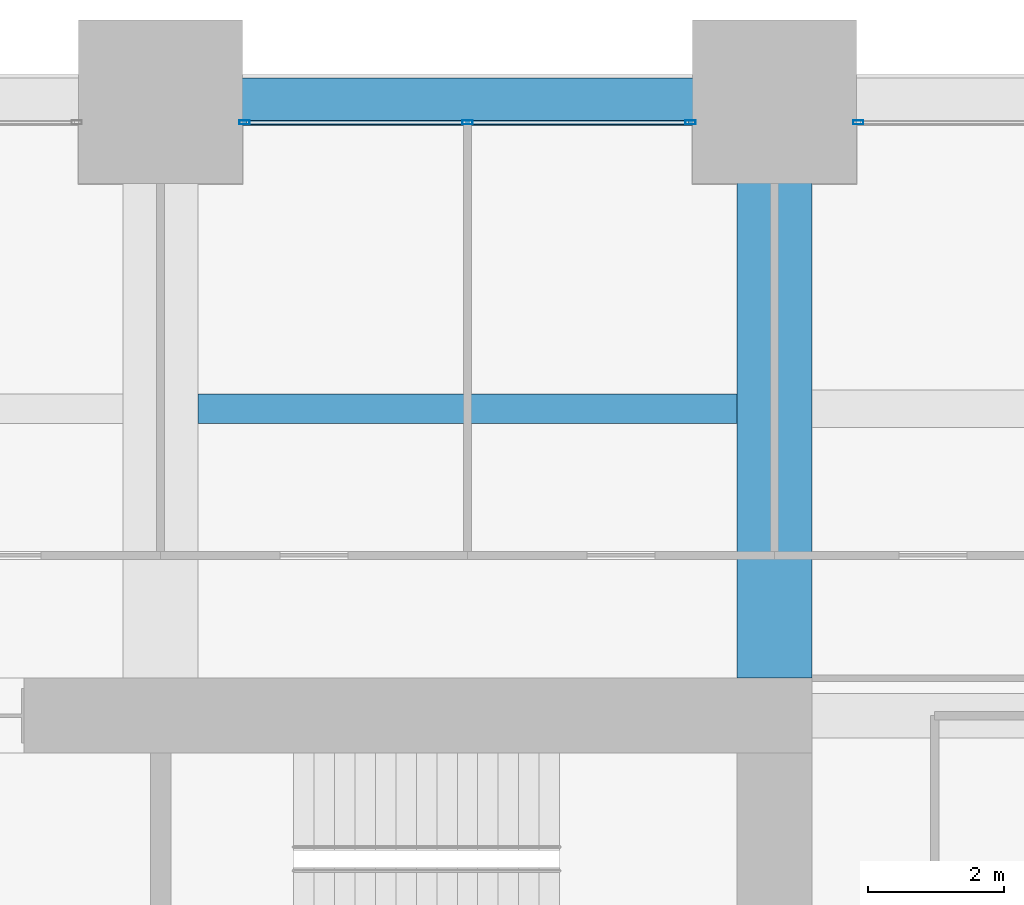
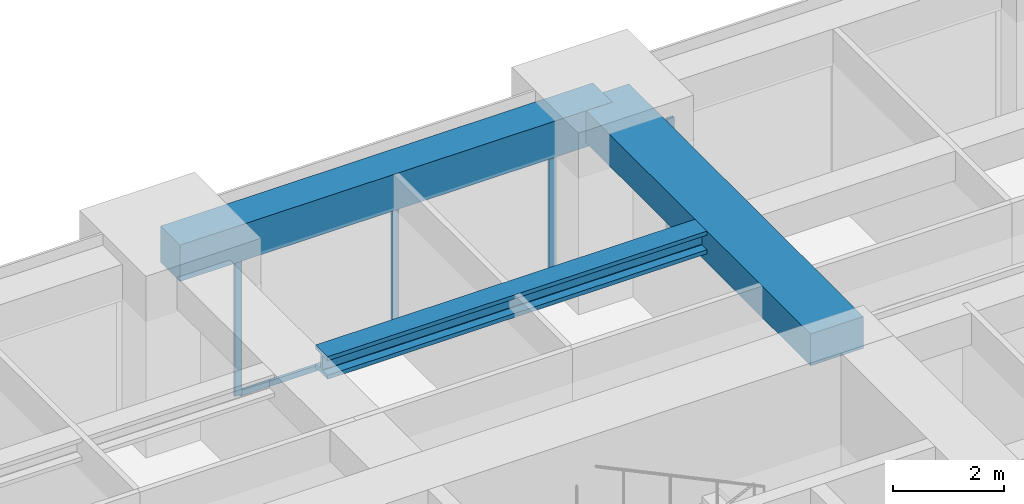
# One storey, part 30 of 40: 5 members, 3 beams, 2 elements without a shape of their own.
"""IFC4 building model written with IfcOpenShell, lengths in metres."""

import ifcopenshell
import ifcopenshell.guid

model = None  # the IFC model being written
_history = None  # IfcOwnerHistory: only IFC2X3 demands one
_inside = {}  # id of a spatial element -> (the spatial element, [elements in it])
_under = {}  # id of a project, library or spatial element -> (it, [spatial elements below it])
_declared = {}  # id of a project -> (the project, [libraries it declares])
_typed = {}  # id of a type object -> (the type object, [elements of that type])
_made_of = {}  # id of a material, layer set ... -> (it, [elements and type objects made of it])


def new_model(schema):
    """Start an empty IFC model of exactly this schema.

    Asked for "IFC4X3", IfcOpenShell would pick the latest addendum, in which some entities
    have other attributes; the version numbers below select the first issue.
    IFC2X3 requires an IfcOwnerHistory on every rooted entity: one is made here for all.
    """
    global model, _history
    if schema == "IFC4X3":
        model = ifcopenshell.file(schema_version=(4, 3, 0, 0))
    else:
        model = ifcopenshell.file(schema=schema)
    _inside.clear()
    _under.clear()
    _declared.clear()
    _typed.clear()
    _made_of.clear()
    _history = None
    if model.schema == "IFC2X3":
        org = make("IfcOrganization", Name="unknown")
        user = make(
            "IfcPersonAndOrganization",
            ThePerson=make("IfcPerson", FamilyName="unknown"),
            TheOrganization=org,
        )
        app = make(
            "IfcApplication",
            ApplicationDeveloper=org,
            Version="unknown",
            ApplicationFullName="unknown",
            ApplicationIdentifier="unknown",
        )
        _history = make(
            "IfcOwnerHistory",
            OwningUser=user,
            OwningApplication=app,
            ChangeAction="ADDED",
            CreationDate=0,
        )
    return model


def make(cls, **values):
    """One entity of the class cls with the attributes given. An attribute that is None is left unset."""
    return model.create_entity(
        cls, **{name: value for name, value in values.items() if value is not None}
    )


def rooted(cls, **values):
    """An entity with a GlobalId (a new one), such as an element, a storey or a relation."""
    return make(cls, GlobalId=ifcopenshell.guid.new(), OwnerHistory=_history, **values)


def si_unit(unit_type, name, prefix=None):
    """IfcSIUnit, for example si_unit("LENGTHUNIT", "METRE", prefix="MILLI")."""
    return make("IfcSIUnit", UnitType=unit_type, Prefix=prefix, Name=name)


def assignment(units):
    """IfcUnitAssignment: the units of a project."""
    return None if units is None else make("IfcUnitAssignment", Units=units)


def point(xyz):
    """IfcCartesianPoint."""
    return None if xyz is None else make("IfcCartesianPoint", Coordinates=xyz)


def direction(xyz):
    """IfcDirection."""
    return None if xyz is None else make("IfcDirection", DirectionRatios=xyz)


def frame(location, z_axis=None, x_axis=None):
    """IfcAxis2Placement3D, a coordinate frame: its origin and axes. An axis left out is left unset."""
    return make(
        "IfcAxis2Placement3D",
        Location=point(location),
        Axis=direction(z_axis),
        RefDirection=direction(x_axis),
    )


def frame_2d(location, x_axis=None):
    """IfcAxis2Placement2D, a coordinate frame in the plane: its origin and x axis."""
    return make(
        "IfcAxis2Placement2D", Location=point(location), RefDirection=direction(x_axis)
    )


def origin():
    """The frame at (0, 0, 0) with its axes left unset."""
    return frame((0.0, 0.0, 0.0))


def origin_2d():
    """The frame at (0, 0) in the plane with its x axis left unset."""
    return frame_2d((0.0, 0.0))


def place(relative_to, where):
    """IfcLocalPlacement: puts the frame where relative to a parent placement (None: the world)."""
    return make(
        "IfcLocalPlacement", PlacementRelTo=relative_to, RelativePlacement=where
    )


def context(
    kind, dimensions, precision=None, world=None, true_north=None, identifier=None
):
    """IfcGeometricRepresentationContext, for example the 3D "Model" context."""
    return make(
        "IfcGeometricRepresentationContext",
        ContextIdentifier=identifier,
        ContextType=kind,
        CoordinateSpaceDimension=dimensions,
        Precision=precision,
        WorldCoordinateSystem=world,
        TrueNorth=true_north,
    )


def subcontext(parent, identifier, kind, view, scale=None):
    """IfcGeometricRepresentationSubContext, for example "Body" below "Model"."""
    return make(
        "IfcGeometricRepresentationSubContext",
        ContextIdentifier=identifier,
        ContextType=kind,
        ParentContext=parent,
        TargetScale=scale,
        TargetView=view,
    )


def project(units=None, contexts=None):
    """IfcProject with its units and contexts."""
    return rooted(
        "IfcProject",
        Name="project",
        RepresentationContexts=contexts,
        UnitsInContext=assignment(units),
    )


def spatial(cls, under=None, at=None, **own):
    """A site, building, storey or space (cls), placed at a placement, below another one or the project."""
    s = rooted(cls, ObjectPlacement=at, **own)
    if under is not None:
        _under.setdefault(under.id(), (under, []))[1].append(s)
    return s


def profile(cls, at=None, kind="AREA", **sizes):
    """A parametric profile (cls). Its sizes go by their IFC names, for example OverallWidth=200.0."""
    return make(cls, ProfileType=kind, Position=at, **sizes)


def rectangle(**sizes):
    """IfcRectangleProfileDef."""
    return profile("IfcRectangleProfileDef", **sizes)


def hollow_rectangle(**sizes):
    """IfcRectangleHollowProfileDef."""
    return profile("IfcRectangleHollowProfileDef", **sizes)


def i_section(**sizes):
    """IfcIShapeProfileDef."""
    return profile("IfcIShapeProfileDef", **sizes)


def extrude(swept, where, along, depth):
    """IfcExtrudedAreaSolid: the profile swept, set in the frame where, extruded along a direction by depth."""
    return make(
        "IfcExtrudedAreaSolid",
        SweptArea=swept,
        Position=where,
        ExtrudedDirection=direction(along),
        Depth=depth,
    )


def shape(context_of_items, identifier, shape_type, items):
    """IfcShapeRepresentation: the items that make up one representation, for example the "Body"."""
    return make(
        "IfcShapeRepresentation",
        ContextOfItems=context_of_items,
        RepresentationIdentifier=identifier,
        RepresentationType=shape_type,
        Items=items,
    )


def material(Name=None, Category=None):
    """IfcMaterial."""
    return make("IfcMaterial", Name=Name, Category=Category)


def material_profile(
    of_material, cross_section, Name=None, Category=None, Priority=None
):
    """IfcMaterialProfile: a cross section and its material."""
    return make(
        "IfcMaterialProfile",
        Name=Name,
        Material=of_material,
        Profile=cross_section,
        Priority=Priority,
        Category=Category,
    )


def profile_set(profiles, Name=None, composite=None):
    """IfcMaterialProfileSet."""
    return make(
        "IfcMaterialProfileSet",
        Name=Name,
        MaterialProfiles=profiles,
        CompositeProfile=composite,
    )


def made_of(thing, what):
    """Note that an element or type object is made of a material, layer set ...; save() writes the relation."""
    if what is not None:
        _made_of.setdefault(what.id(), (what, []))[1].append(thing)
    return thing


def type_object(cls, material=None, **own):
    """A type object (cls), such as IfcWallType, which elements share."""
    return made_of(rooted(cls, **own), material)


def element(
    cls,
    number,
    at=None,
    inside=None,
    cuts=None,
    type_object=None,
    material=None,
    context=None,
    identifier="Body",
    shape_type=None,
    held_by="IfcProductDefinitionShape",
    body=None,
    shapes=None,
    **own,
):
    """One element of the class cls, such as IfcWall. Its Tag is "e" and its number.

    at: its placement. inside: the storey or other place that contains it. cuts: it is an
    opening in that element (IfcRelVoidsElement). A single representation is given by context,
    identifier, shape_type and body (its items); several are given by shapes. held_by: the class
    of the entity that holds the representations. save() writes the other relations.
    """
    e = rooted(cls, Tag="e%d" % number, ObjectPlacement=at, **own)
    if body is not None:
        shapes = [shape(context, identifier, shape_type, body)]
    if shapes is not None:
        e.Representation = make(held_by, Representations=shapes)
    if inside is not None:
        _inside.setdefault(inside.id(), (inside, []))[1].append(e)
    if cuts is not None:
        rooted(
            "IfcRelVoidsElement", RelatingBuildingElement=cuts, RelatedOpeningElement=e
        )
    if type_object is not None:
        _typed.setdefault(type_object.id(), (type_object, []))[1].append(e)
    return made_of(e, material)


def aggregate(whole, parts):
    """IfcRelAggregates: a whole, such as a stair, and the parts it consists of."""
    return rooted("IfcRelAggregates", RelatingObject=whole, RelatedObjects=parts)


def save(model, path):
    """Write the relations noted so far, then the file.

    IfcRelAggregates (storeys below a building ...), IfcRelContainedInSpatialStructure (elements
    in a storey), IfcRelDefinesByType, IfcRelAssociatesMaterial and IfcRelDeclares: one each for
    every whole, place, type object, material and project.
    """
    for whole, parts in _under.values():
        aggregate(whole, parts)
    for where, things in _inside.values():
        rooted(
            "IfcRelContainedInSpatialStructure",
            RelatedElements=things,
            RelatingStructure=where,
        )
    for kind, things in _typed.values():
        rooted("IfcRelDefinesByType", RelatedObjects=things, RelatingType=kind)
    for what, things in _made_of.values():
        rooted("IfcRelAssociatesMaterial", RelatedObjects=things, RelatingMaterial=what)
    for by, libraries in _declared.values():
        rooted("IfcRelDeclares", RelatingContext=by, RelatedDefinitions=libraries)
    model.write(path)


model = new_model("IFC4")

# Units and contexts
model_context = context("Model", 3, precision=1e-05, world=origin(), true_north=direction((0.0, 1.0)))
body_context = subcontext(model_context, "Body", "Model", "MODEL_VIEW")
ifc_project = project(units=[si_unit("LENGTHUNIT", "METRE"), si_unit("AREAUNIT", "SQUARE_METRE"), si_unit("VOLUMEUNIT", "CUBIC_METRE"), si_unit("PLANEANGLEUNIT", "RADIAN"), si_unit("MASSUNIT", "GRAM", prefix="KILO")], contexts=[model_context])

# Site, building, storey
site_placement = place(None, origin())
site = spatial("IfcSite", under=ifc_project, at=site_placement, CompositionType="ELEMENT")
building_placement = place(site_placement, origin())
building = spatial("IfcBuilding", under=site, at=building_placement, Name="Zorevar Civic Tower", CompositionType="ELEMENT")
storey_placement = place(building_placement, frame((0.0, 0.0, 93.0)))
storey = spatial("IfcBuildingStorey", under=building, at=storey_placement, Name="L22", CompositionType="ELEMENT", Elevation=93.0)

# Beam
ifc_material_1 = material(Name="Concrete C50/60", Category="concrete")
ifc_material_profile_1 = material_profile(ifc_material_1, rectangle(XDim=1.10009765625, YDim=0.699951171875, at=origin_2d()), Name="RC 1100x700")
ifc_profile_set_1 = profile_set([ifc_material_profile_1], Name="Concrete C50/60")
beam_type_1 = type_object("IfcBeamType", Name="Beam RC 1100x700", PredefinedType="BEAM", material=ifc_profile_set_1)
beam_1_placement = place(storey_placement, frame((45.0, 36.550048828125, 3.39990234375), z_axis=(0.0, 1.0, 0.0), x_axis=(-1.0, 0.0, 0.0)))
element("IfcBeam", 1, at=beam_1_placement, inside=storey, type_object=beam_type_1, Name="Girder L23", PredefinedType="BEAM", context=body_context, shape_type="SweptSolid", body=[
    extrude(rectangle(XDim=1.10009765625, YDim=0.699951171875, at=origin_2d()), origin(), (0.0, 0.0, 1.0), 8.449951171875),
])

# Curtain wall, members
ifc_material_2 = material(Name="Dark grey solar-control glass in black aluminium frame", Category="aluminium")
curtain_wall_type = type_object("IfcCurtainWallType", Name="Curtain wall CW3 mid zone", PredefinedType="NOTDEFINED", material=ifc_material_2)
curtain_wall_1_placement = place(storey_placement, origin())
curtain_wall_1 = element("IfcCurtainWall", 2, at=curtain_wall_1_placement, inside=storey, type_object=curtain_wall_type, Name="CW3 L22", PredefinedType="NOTDEFINED")
ifc_material_3 = material(Name="Aluminium, black anodised", Category="aluminium")
ifc_material_profile_2 = material_profile(ifc_material_3, hollow_rectangle(XDim=0.06005859375, YDim=0.14990234375, WallThickness=0.00390625, at=origin_2d()), Name="AL 150x60x4")
ifc_profile_set_2 = profile_set([ifc_material_profile_2], Name="Aluminium, black anodised")
member_type_1 = type_object("IfcMemberType", Name="CW3 mullion AL 150x60x4", PredefinedType="MULLION", material=ifc_profile_set_2)
member_1_placement = place(storey_placement, frame((37.22998046875, 44.699951171875, 0.0), z_axis=(0.0, 0.0, 1.0), x_axis=(0.0, 1.0, 0.0)))
member_1 = element("IfcMember", 3, at=member_1_placement, type_object=member_type_1, Name="CW3 mullion 1", PredefinedType="MULLION", context=body_context, shape_type="SweptSolid", body=[
    extrude(hollow_rectangle(XDim=0.06005859375, YDim=0.14990234375, WallThickness=0.00390625, at=origin_2d()), origin(), (0.0, 0.0, 1.0), 2.949951171875),
])
member_2_placement = place(storey_placement, frame((40.5, 44.699951171875, 0.06005859375), z_axis=(0.0, 0.0, 1.0), x_axis=(0.0, 1.0, 0.0)))
member_2 = element("IfcMember", 4, at=member_2_placement, type_object=member_type_1, Name="CW3 mullion 2", PredefinedType="MULLION", context=body_context, shape_type="SweptSolid", body=[
    extrude(hollow_rectangle(XDim=0.06005859375, YDim=0.14990234375, WallThickness=0.00390625, at=origin_2d()), origin(), (0.0, 0.0, 1.0), 2.889892578125),
])
member_3_placement = place(storey_placement, frame((43.77001953125, 44.699951171875, 0.0), z_axis=(0.0, 0.0, 1.0), x_axis=(0.0, 1.0, 0.0)))
member_3 = element("IfcMember", 5, at=member_3_placement, type_object=member_type_1, Name="CW3 mullion 3", PredefinedType="MULLION", context=body_context, shape_type="SweptSolid", body=[
    extrude(hollow_rectangle(XDim=0.06005859375, YDim=0.14990234375, WallThickness=0.00390625, at=origin_2d()), origin(), (0.0, 0.0, 1.0), 2.949951171875),
])

# Curtain wall, member
curtain_wall_2_placement = place(storey_placement, origin())
curtain_wall_2 = element("IfcCurtainWall", 6, at=curtain_wall_2_placement, inside=storey, type_object=curtain_wall_type, Name="CW3 L22", PredefinedType="NOTDEFINED")
member_4_placement = place(storey_placement, frame((46.22998046875, 44.699951171875, 0.0), z_axis=(0.0, 0.0, 1.0), x_axis=(0.0, 1.0, 0.0)))
member_4 = element("IfcMember", 7, at=member_4_placement, type_object=member_type_1, Name="CW3 mullion 1", PredefinedType="MULLION", context=body_context, shape_type="SweptSolid", body=[
    extrude(hollow_rectangle(XDim=0.06005859375, YDim=0.14990234375, WallThickness=0.00390625, at=origin_2d()), origin(), (0.0, 0.0, 1.0), 2.949951171875),
])
aggregate(curtain_wall_2, [member_4])

# Member
ifc_material_4 = material(Name="Aluminium, black anodised", Category="aluminium")
ifc_material_profile_3 = material_profile(ifc_material_4, hollow_rectangle(XDim=0.06005859375, YDim=0.1201171875, WallThickness=0.0029296875, at=origin_2d()), Name="AL 120x60x3")
ifc_profile_set_3 = profile_set([ifc_material_profile_3], Name="Aluminium, black anodised")
member_type_2 = type_object("IfcMemberType", Name="CW3 transom AL 120x60x3", PredefinedType="USERDEFINED", material=ifc_profile_set_3)
member_5_placement = place(storey_placement, frame((37.260009765625, 44.699951171875, 0.030029296875), z_axis=(1.0, 0.0, 0.0), x_axis=(0.0, 1.0, 0.0)))
member_5 = element("IfcMember", 8, at=member_5_placement, type_object=member_type_2, Name="CW3 sill transom", ObjectType="TRANSOM", PredefinedType="USERDEFINED", context=body_context, shape_type="SweptSolid", body=[
    extrude(hollow_rectangle(XDim=0.06005859375, YDim=0.1201171875, WallThickness=0.0029296875, at=origin_2d()), origin(), (0.0, 0.0, 1.0), 6.47998046875),
])

aggregate(curtain_wall_1, [member_1, member_2, member_3, member_5])

# Beams
ifc_material_5 = material(Name="Steel S460M (HISTAR 460)", Category="steel")
ifc_material_profile_4 = material_profile(ifc_material_5, i_section(OverallWidth=0.431884765625, OverallDepth=0.498046875, WebThickness=0.0556640625, FlangeThickness=0.0888671875, FilletRadius=0.014892578125, at=origin_2d()), Name="HD 400x744")
ifc_profile_set_4 = profile_set([ifc_material_profile_4], Name="Steel S460M (HISTAR 460)")
beam_type_2 = type_object("IfcBeamType", Name="Core bay beam HD 400x744", PredefinedType="BEAM", material=ifc_profile_set_4)
beam_2_placement = place(storey_placement, frame((36.550048828125, 40.5, 3.5009765625), z_axis=(1.0, 0.0, 0.0), x_axis=(0.0, 1.0, 0.0)))
element("IfcBeam", 9, at=beam_2_placement, inside=storey, type_object=beam_type_2, Name="Secondary beam L23", PredefinedType="BEAM", context=body_context, shape_type="SweptSolid", body=[
    extrude(i_section(OverallWidth=0.431884765625, OverallDepth=0.498046875, WebThickness=0.0556640625, FlangeThickness=0.0888671875, FilletRadius=0.014892578125, at=origin_2d()), origin(), (0.0, 0.0, 1.0), 7.89990234375),
])
ifc_material_6 = material(Name="Concrete C50/60", Category="concrete")
ifc_material_profile_5 = material_profile(ifc_material_6, rectangle(XDim=0.699951171875, YDim=0.800048828125, at=origin_2d()), Name="RC 700x800")
ifc_profile_set_5 = profile_set([ifc_material_profile_5], Name="Concrete C50/60")
beam_type_3 = type_object("IfcBeamType", Name="Edge beam RC 700x800", PredefinedType="SPANDREL", material=ifc_profile_set_5)
beam_3_placement = place(storey_placement, frame((36.0, 45.0, 3.35009765625), z_axis=(1.0, 0.0, 0.0), x_axis=(0.0, 1.0, 0.0)))
element("IfcBeam", 10, at=beam_3_placement, inside=storey, type_object=beam_type_3, Name="Edge beam L23", PredefinedType="SPANDREL", context=body_context, shape_type="SweptSolid", body=[
    extrude(rectangle(XDim=0.699951171875, YDim=0.800048828125, at=origin_2d()), origin(), (0.0, 0.0, 1.0), 9.0),
])

save(model, "model.ifc")
